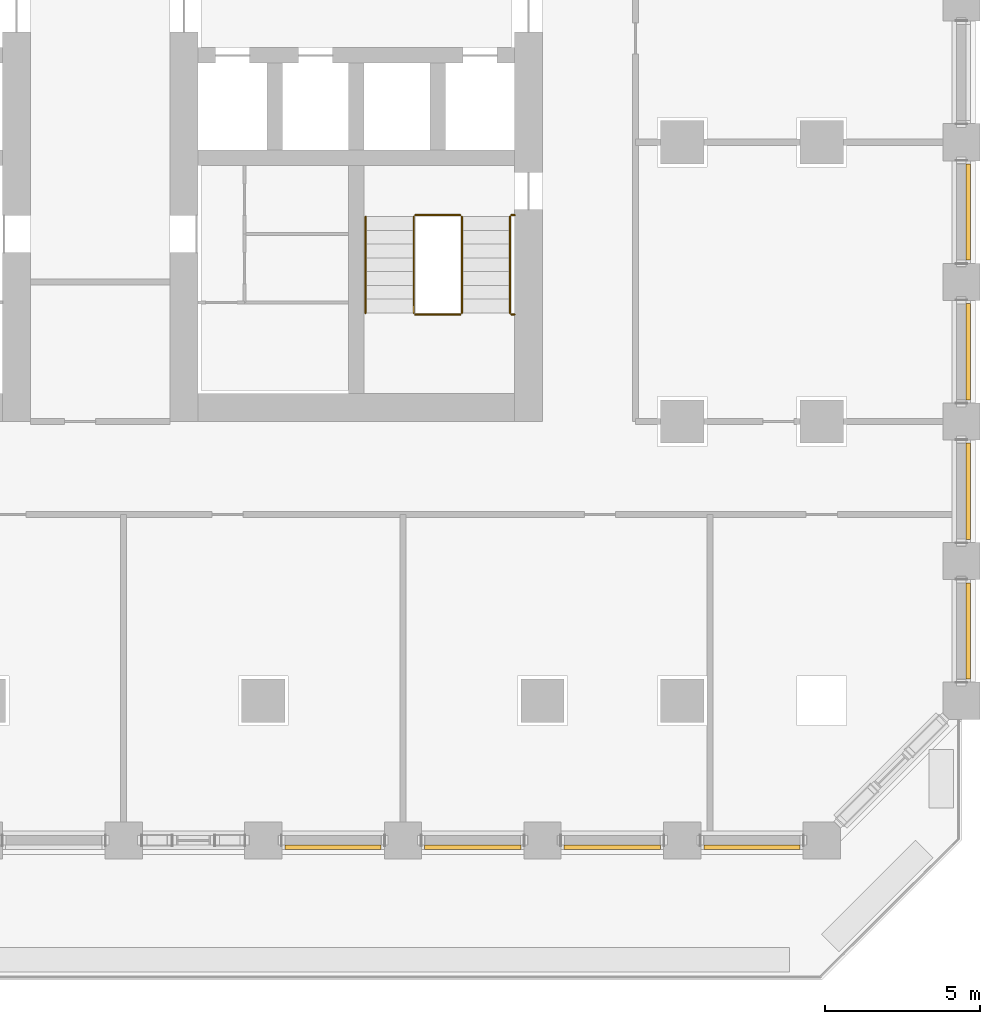
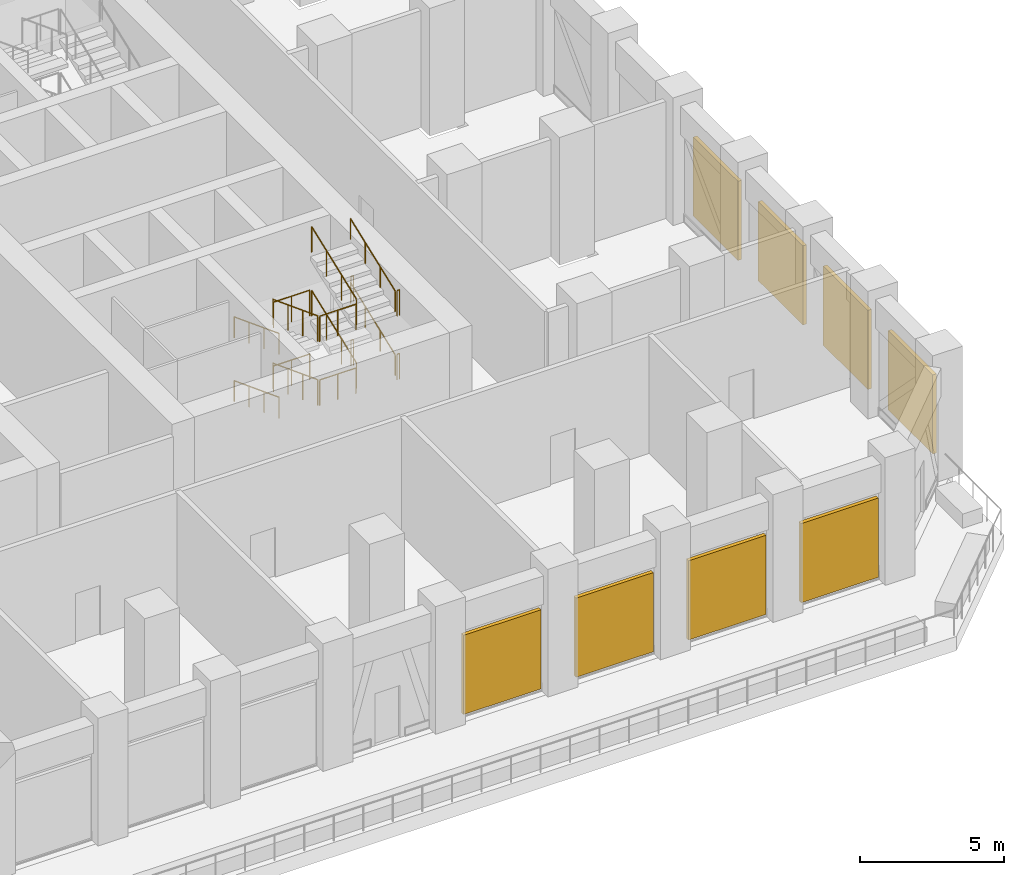
# One storey, part 15 of 20: 16 railings, 8 shading devices.
"""IFC4 building model written with IfcOpenShell, lengths in metres."""

from ifc_helpers import new_model, si_unit, direction, frame, origin, origin_2d, place, context, subcontext, project, spatial, rectangle, circle, extrude, material, layer, layer_set, type_object, element, save


model = new_model("IFC4")

# Units and contexts
model_context = context("Model", 3, precision=1e-05, world=origin(), true_north=direction((0.0, 1.0)))
body_context = subcontext(model_context, "Body", "Model", "MODEL_VIEW")
ifc_project = project(units=[si_unit("LENGTHUNIT", "METRE"), si_unit("AREAUNIT", "SQUARE_METRE"), si_unit("VOLUMEUNIT", "CUBIC_METRE"), si_unit("PLANEANGLEUNIT", "RADIAN"), si_unit("MASSUNIT", "GRAM", prefix="KILO")], contexts=[model_context])

# Site, building, storey
site_placement = place(None, origin())
site = spatial("IfcSite", under=ifc_project, at=site_placement, CompositionType="ELEMENT")
building_placement = place(site_placement, origin())
building = spatial("IfcBuilding", under=site, at=building_placement, Name="Corbel Stack Research Tower", CompositionType="ELEMENT")
storey_placement = place(building_placement, frame((0.0, 0.0, 76.60009765625)))
storey = spatial("IfcBuildingStorey", under=building, at=storey_placement, Name="L17", CompositionType="ELEMENT", Elevation=76.60009765625)

# Shading devices
ifc_material_1 = material(Name="Aluminium louvre", Category="aluminium")
ifc_layer = layer(ifc_material_1, 0.14990234375)
ifc_layer_set = layer_set([ifc_layer], Name="Aluminium louvre")
shading_device_type = type_object("IfcShadingDeviceType", Name="Plant louvre 150", PredefinedType="USERDEFINED", material=ifc_layer_set)
for number, where, z_axis, x_axis, name in (
    (1, (11.25, -22.72509765625, 0.199951171875), (0.0, 0.0, 1.0), (1.0, 0.0, 0.0), "Plant louvre L17 S07"),
    (2, (15.75, -22.72509765625, 0.199951171875), (0.0, 0.0, 1.0), (1.0, 0.0, 0.0), "Plant louvre L17 S08"),
    (3, (20.25, -22.72509765625, 0.199951171875), (0.0, 0.0, 1.0), (1.0, 0.0, 0.0), "Plant louvre L17 S09"),
    (4, (24.75, -22.72509765625, 0.199951171875), (0.0, 0.0, 1.0), (1.0, 0.0, 0.0), "Plant louvre L17 S10"),
    (5, (31.72509765625, -15.75, 0.199951171875), (0.0, 0.0, 1.0), (0.0, 1.0, 0.0), "Plant louvre L17 E01"),
    (6, (31.72509765625, -11.25, 0.199951171875), (0.0, 0.0, 1.0), (0.0, 1.0, 0.0), "Plant louvre L17 E02"),
    (7, (31.72509765625, -6.75, 0.199951171875), (0.0, 0.0, 1.0), (0.0, 1.0, 0.0), "Plant louvre L17 E03"),
    (8, (31.72509765625, -2.25, 0.199951171875), (0.0, 0.0, 1.0), (0.0, 1.0, 0.0), "Plant louvre L17 E04"),
):
    element("IfcShadingDevice", number, at=place(storey_placement, frame(where, z_axis=z_axis, x_axis=x_axis)), inside=storey, type_object=shading_device_type, Name=name, ObjectType="LOUVRE", PredefinedType="USERDEFINED", context=body_context, shape_type="SweptSolid", body=[
        extrude(rectangle(XDim=3.10009765625, YDim=0.14990234375, at=origin_2d()), origin(), (0.0, 0.0, 1.0), 3.35009765625),
    ])

# Railings
ifc_material_2 = material(Name="Steel S355", Category="steel")
railing_type_1 = type_object("IfcRailingType", Name="Stair guard 1100", PredefinedType="GUARDRAIL", material=ifc_material_2)
railing_1_placement = place(storey_placement, frame((13.85009765625, -2.39990234375, 0.168701171875)))
element("IfcRailing", 9, at=railing_1_placement, inside=storey, type_object=railing_type_1, Name="L17 ST-E1 stair guard 1", PredefinedType="GUARDRAIL", context=body_context, shape_type="SweptSolid", body=[
    extrude(circle(Radius=0.02392578125, at=origin_2d()), frame((0.0, 0.0, 1.076171875), z_axis=(0.0, -0.934508712189, 0.355940257406), x_axis=(1.0, 0.0, 0.0)), (0.0, 0.0, 1.0), 3.318359375),
    extrude(circle(Radius=0.02099609375, at=origin_2d()), origin(), (0.0, 0.0, 1.0), 1.052001953125),
    extrude(circle(Radius=0.02099609375, at=origin_2d()), frame((0.0, -1.03369140625, 0.393798828125)), (0.0, 0.0, 1.0), 1.052001953125),
    extrude(circle(Radius=0.02099609375, at=origin_2d()), frame((0.0, -2.0673828125, 0.787353515625)), (0.0, 0.0, 1.0), 1.052001953125),
    extrude(circle(Radius=0.02099609375, at=origin_2d()), frame((0.0, -3.10107421875, 1.18115234375)), (0.0, 0.0, 1.0), 1.052001953125),
])
railing_2_placement = place(storey_placement, frame((13.89990234375, -5.551025390625, 1.349853515625)))
element("IfcRailing", 10, at=railing_2_placement, inside=storey, type_object=railing_type_1, Name="L17 ST-E1 stair guard 2", PredefinedType="GUARDRAIL", context=body_context, shape_type="SweptSolid", body=[
    extrude(circle(Radius=0.02392578125, at=origin_2d()), frame((0.0, 0.0, 1.076171875), z_axis=(1.0, 0.0, 0.0), x_axis=(0.0, 1.0, 0.0)), (0.0, 0.0, 1.0), 1.4501953125),
    extrude(circle(Radius=0.02099609375, at=origin_2d()), origin(), (0.0, 0.0, 1.0), 1.052001953125),
    extrude(circle(Radius=0.02099609375, at=origin_2d()), frame((0.72509765625, 0.0, 0.0)), (0.0, 0.0, 1.0), 1.052001953125),
    extrude(circle(Radius=0.02099609375, at=origin_2d()), frame((1.4501953125, 0.0, 0.0)), (0.0, 0.0, 1.0), 1.052001953125),
])
railing_3_placement = place(storey_placement, frame((17.0, -5.551025390625, 1.349853515625)))
element("IfcRailing", 11, at=railing_3_placement, inside=storey, type_object=railing_type_1, Name="L17 ST-E1 stair guard 3", PredefinedType="GUARDRAIL", context=body_context, shape_type="SweptSolid", body=[
    extrude(circle(Radius=0.02392578125, at=origin_2d()), frame((0.0, 0.0, 1.076171875), z_axis=(1.0, 0.0, 0.0), x_axis=(0.0, 1.0, 0.0)), (0.0, 0.0, 1.0), 0.10009765625),
    extrude(circle(Radius=0.02099609375, at=origin_2d()), origin(), (0.0, 0.0, 1.0), 1.052001953125),
    extrude(circle(Radius=0.02099609375, at=origin_2d()), frame((0.10009765625, 0.0, 0.0)), (0.0, 0.0, 1.0), 1.052001953125),
])
railing_4_placement = place(storey_placement, frame((15.39990234375, -5.5009765625, 1.5185546875)))
element("IfcRailing", 12, at=railing_4_placement, inside=storey, type_object=railing_type_1, Name="L17 ST-E1 stair guard 4", PredefinedType="GUARDRAIL", context=body_context, shape_type="SweptSolid", body=[
    extrude(circle(Radius=0.02392578125, at=origin_2d()), frame((0.0, 0.0, 1.076171875), z_axis=(0.0, 0.934484238495, 0.356004505596), x_axis=(-1.0, 0.0, 0.0)), (0.0, 0.0, 1.0), 3.318603515625),
    extrude(circle(Radius=0.02099609375, at=origin_2d()), origin(), (0.0, 0.0, 1.0), 1.052001953125),
    extrude(circle(Radius=0.02099609375, at=origin_2d()), frame((0.0, 1.03369140625, 0.393798828125)), (0.0, 0.0, 1.0), 1.052001953125),
    extrude(circle(Radius=0.02099609375, at=origin_2d()), frame((0.0, 2.0673828125, 0.78759765625)), (0.0, 0.0, 1.0), 1.052001953125),
    extrude(circle(Radius=0.02099609375, at=origin_2d()), frame((0.0, 3.10107421875, 1.181396484375)), (0.0, 0.0, 1.0), 1.052001953125),
])
railing_5_placement = place(storey_placement, frame((13.89990234375, -2.35009765625, 2.699951171875)))
element("IfcRailing", 13, at=railing_5_placement, inside=storey, type_object=railing_type_1, Name="L17 ST-E1 stair guard 5", PredefinedType="GUARDRAIL", context=body_context, shape_type="SweptSolid", body=[
    extrude(circle(Radius=0.02392578125, at=origin_2d()), frame((0.0, 0.0, 1.076171875), z_axis=(1.0, 0.0, 0.0), x_axis=(0.0, 1.0, 0.0)), (0.0, 0.0, 1.0), 1.4501953125),
    extrude(circle(Radius=0.02099609375, at=origin_2d()), origin(), (0.0, 0.0, 1.0), 1.052001953125),
    extrude(circle(Radius=0.02099609375, at=origin_2d()), frame((0.72509765625, 0.0, 0.0)), (0.0, 0.0, 1.0), 1.052001953125),
    extrude(circle(Radius=0.02099609375, at=origin_2d()), frame((1.4501953125, 0.0, 0.0)), (0.0, 0.0, 1.0), 1.052001953125),
])
railing_6_placement = place(storey_placement, frame((17.0, -2.35009765625, 2.699951171875)))
element("IfcRailing", 14, at=railing_6_placement, inside=storey, type_object=railing_type_1, Name="L17 ST-E1 stair guard 6", PredefinedType="GUARDRAIL", context=body_context, shape_type="SweptSolid", body=[
    extrude(circle(Radius=0.02392578125, at=origin_2d()), frame((0.0, 0.0, 1.076171875), z_axis=(1.0, 0.0, 0.0), x_axis=(0.0, 1.0, 0.0)), (0.0, 0.0, 1.0), 0.10009765625),
    extrude(circle(Radius=0.02099609375, at=origin_2d()), origin(), (0.0, 0.0, 1.0), 1.052001953125),
    extrude(circle(Radius=0.02099609375, at=origin_2d()), frame((0.10009765625, 0.0, 0.0)), (0.0, 0.0, 1.0), 1.052001953125),
])
railing_7_placement = place(storey_placement, frame((13.85009765625, -2.39990234375, 2.86865234375)))
element("IfcRailing", 15, at=railing_7_placement, inside=storey, type_object=railing_type_1, Name="L17 ST-E1 stair guard 7", PredefinedType="GUARDRAIL", context=body_context, shape_type="SweptSolid", body=[
    extrude(circle(Radius=0.02392578125, at=origin_2d()), frame((0.0, 0.0, 1.076171875), z_axis=(0.0, -0.934508712189, 0.355940257406), x_axis=(1.0, 0.0, 0.0)), (0.0, 0.0, 1.0), 3.318359375),
    extrude(circle(Radius=0.02099609375, at=origin_2d()), origin(), (0.0, 0.0, 1.0), 1.052001953125),
    extrude(circle(Radius=0.02099609375, at=origin_2d()), frame((0.0, -1.03369140625, 0.393798828125)), (0.0, 0.0, 1.0), 1.052001953125),
    extrude(circle(Radius=0.02099609375, at=origin_2d()), frame((0.0, -2.0673828125, 0.787353515625)), (0.0, 0.0, 1.0), 1.052001953125),
    extrude(circle(Radius=0.02099609375, at=origin_2d()), frame((0.0, -3.10107421875, 1.18115234375)), (0.0, 0.0, 1.0), 1.052001953125),
])
railing_8_placement = place(storey_placement, frame((13.89990234375, -5.551025390625, 4.0498046875)))
element("IfcRailing", 16, at=railing_8_placement, inside=storey, type_object=railing_type_1, Name="L17 ST-E1 stair guard 8", PredefinedType="GUARDRAIL", context=body_context, shape_type="SweptSolid", body=[
    extrude(circle(Radius=0.02392578125, at=origin_2d()), frame((0.0, 0.0, 1.076171875), z_axis=(1.0, 0.0, 0.0), x_axis=(0.0, 1.0, 0.0)), (0.0, 0.0, 1.0), 1.4501953125),
    extrude(circle(Radius=0.02099609375, at=origin_2d()), origin(), (0.0, 0.0, 1.0), 1.052001953125),
    extrude(circle(Radius=0.02099609375, at=origin_2d()), frame((0.72509765625, 0.0, 0.0)), (0.0, 0.0, 1.0), 1.052001953125),
    extrude(circle(Radius=0.02099609375, at=origin_2d()), frame((1.4501953125, 0.0, 0.0)), (0.0, 0.0, 1.0), 1.052001953125),
])
railing_9_placement = place(storey_placement, frame((17.0, -5.551025390625, 4.0498046875)))
element("IfcRailing", 17, at=railing_9_placement, inside=storey, type_object=railing_type_1, Name="L17 ST-E1 stair guard 9", PredefinedType="GUARDRAIL", context=body_context, shape_type="SweptSolid", body=[
    extrude(circle(Radius=0.02392578125, at=origin_2d()), frame((0.0, 0.0, 1.076171875), z_axis=(1.0, 0.0, 0.0), x_axis=(0.0, 1.0, 0.0)), (0.0, 0.0, 1.0), 0.10009765625),
    extrude(circle(Radius=0.02099609375, at=origin_2d()), origin(), (0.0, 0.0, 1.0), 1.052001953125),
    extrude(circle(Radius=0.02099609375, at=origin_2d()), frame((0.10009765625, 0.0, 0.0)), (0.0, 0.0, 1.0), 1.052001953125),
])
railing_10_placement = place(storey_placement, frame((15.39990234375, -5.5009765625, 4.21875)))
element("IfcRailing", 18, at=railing_10_placement, inside=storey, type_object=railing_type_1, Name="L17 ST-E1 stair guard 10", PredefinedType="GUARDRAIL", context=body_context, shape_type="SweptSolid", body=[
    extrude(circle(Radius=0.02392578125, at=origin_2d()), frame((0.0, 0.0, 1.076171875), z_axis=(0.0, 0.934508712189, 0.355940257406), x_axis=(-1.0, 0.0, 0.0)), (0.0, 0.0, 1.0), 3.318359375),
    extrude(circle(Radius=0.02099609375, at=origin_2d()), origin(), (0.0, 0.0, 1.0), 1.052001953125),
    extrude(circle(Radius=0.02099609375, at=origin_2d()), frame((0.0, 1.03369140625, 0.393798828125)), (0.0, 0.0, 1.0), 1.052001953125),
    extrude(circle(Radius=0.02099609375, at=origin_2d()), frame((0.0, 2.0673828125, 0.787353515625)), (0.0, 0.0, 1.0), 1.052001953125),
    extrude(circle(Radius=0.02099609375, at=origin_2d()), frame((0.0, 3.10107421875, 1.18115234375)), (0.0, 0.0, 1.0), 1.052001953125),
])
railing_11_placement = place(storey_placement, frame((13.89990234375, -2.35009765625, 0.0)))
element("IfcRailing", 19, at=railing_11_placement, inside=storey, type_object=railing_type_1, Name="L17 ST-E1 stair guard 11", PredefinedType="GUARDRAIL", context=body_context, shape_type="SweptSolid", body=[
    extrude(circle(Radius=0.02392578125, at=origin_2d()), frame((0.0, 0.0, 1.076171875), z_axis=(1.0, 0.0, 0.0), x_axis=(0.0, 1.0, 0.0)), (0.0, 0.0, 1.0), 1.4501953125),
    extrude(circle(Radius=0.02099609375, at=origin_2d()), origin(), (0.0, 0.0, 1.0), 1.052001953125),
    extrude(circle(Radius=0.02099609375, at=origin_2d()), frame((0.72509765625, 0.0, 0.0)), (0.0, 0.0, 1.0), 1.052001953125),
    extrude(circle(Radius=0.02099609375, at=origin_2d()), frame((1.4501953125, 0.0, 0.0)), (0.0, 0.0, 1.0), 1.052001953125),
])
railing_12_placement = place(storey_placement, frame((17.0, -2.35009765625, 0.0)))
element("IfcRailing", 20, at=railing_12_placement, inside=storey, type_object=railing_type_1, Name="L17 ST-E1 stair guard 12", PredefinedType="GUARDRAIL", context=body_context, shape_type="SweptSolid", body=[
    extrude(circle(Radius=0.02392578125, at=origin_2d()), frame((0.0, 0.0, 1.076171875), z_axis=(1.0, 0.0, 0.0), x_axis=(0.0, 1.0, 0.0)), (0.0, 0.0, 1.0), 0.10009765625),
    extrude(circle(Radius=0.02099609375, at=origin_2d()), origin(), (0.0, 0.0, 1.0), 1.052001953125),
    extrude(circle(Radius=0.02099609375, at=origin_2d()), frame((0.10009765625, 0.0, 0.0)), (0.0, 0.0, 1.0), 1.052001953125),
])
ifc_material_3 = material(Name="Steel S355", Category="steel")
railing_type_2 = type_object("IfcRailingType", Name="Stair handrail 900", PredefinedType="HANDRAIL", material=ifc_material_3)
railing_13_placement = place(storey_placement, frame((12.300048828125, -2.39990234375, 0.168701171875)))
element("IfcRailing", 21, at=railing_13_placement, inside=storey, type_object=railing_type_2, Name="L17 ST-E1 stair handrail 1", PredefinedType="HANDRAIL", context=body_context, shape_type="SweptSolid", body=[
    extrude(circle(Radius=0.02392578125, at=origin_2d()), frame((0.0, 0.0, 0.8759765625), z_axis=(0.0, -0.934508712189, 0.355940257406), x_axis=(1.0, 0.0, 0.0)), (0.0, 0.0, 1.0), 3.318359375),
    extrude(circle(Radius=0.02099609375, at=origin_2d()), origin(), (0.0, 0.0, 1.0), 0.851806640625),
    extrude(circle(Radius=0.02099609375, at=origin_2d()), frame((0.0, -1.03369140625, 0.393798828125)), (0.0, 0.0, 1.0), 0.851806640625),
    extrude(circle(Radius=0.02099609375, at=origin_2d()), frame((0.0, -2.0673828125, 0.787353515625)), (0.0, 0.0, 1.0), 0.851806640625),
    extrude(circle(Radius=0.02099609375, at=origin_2d()), frame((0.0, -3.10107421875, 1.18115234375)), (0.0, 0.0, 1.0), 0.851806640625),
])
railing_14_placement = place(storey_placement, frame((16.949951171875, -5.5009765625, 1.5185546875)))
element("IfcRailing", 22, at=railing_14_placement, inside=storey, type_object=railing_type_2, Name="L17 ST-E1 stair handrail 2", PredefinedType="HANDRAIL", context=body_context, shape_type="SweptSolid", body=[
    extrude(circle(Radius=0.02392578125, at=origin_2d()), frame((0.0, 0.0, 0.8759765625), z_axis=(0.0, 0.934484238495, 0.356004505596), x_axis=(-1.0, 0.0, 0.0)), (0.0, 0.0, 1.0), 3.318603515625),
    extrude(circle(Radius=0.02099609375, at=origin_2d()), origin(), (0.0, 0.0, 1.0), 0.851806640625),
    extrude(circle(Radius=0.02099609375, at=origin_2d()), frame((0.0, 1.03369140625, 0.393798828125)), (0.0, 0.0, 1.0), 0.851806640625),
    extrude(circle(Radius=0.02099609375, at=origin_2d()), frame((0.0, 2.0673828125, 0.78759765625)), (0.0, 0.0, 1.0), 0.851806640625),
    extrude(circle(Radius=0.02099609375, at=origin_2d()), frame((0.0, 3.10107421875, 1.181396484375)), (0.0, 0.0, 1.0), 0.851806640625),
])
railing_15_placement = place(storey_placement, frame((12.300048828125, -2.39990234375, 2.86865234375)))
element("IfcRailing", 23, at=railing_15_placement, inside=storey, type_object=railing_type_2, Name="L17 ST-E1 stair handrail 3", PredefinedType="HANDRAIL", context=body_context, shape_type="SweptSolid", body=[
    extrude(circle(Radius=0.02392578125, at=origin_2d()), frame((0.0, 0.0, 0.8759765625), z_axis=(0.0, -0.934508712189, 0.355940257406), x_axis=(1.0, 0.0, 0.0)), (0.0, 0.0, 1.0), 3.318359375),
    extrude(circle(Radius=0.02099609375, at=origin_2d()), origin(), (0.0, 0.0, 1.0), 0.851806640625),
    extrude(circle(Radius=0.02099609375, at=origin_2d()), frame((0.0, -1.03369140625, 0.393798828125)), (0.0, 0.0, 1.0), 0.851806640625),
    extrude(circle(Radius=0.02099609375, at=origin_2d()), frame((0.0, -2.0673828125, 0.787353515625)), (0.0, 0.0, 1.0), 0.851806640625),
    extrude(circle(Radius=0.02099609375, at=origin_2d()), frame((0.0, -3.10107421875, 1.18115234375)), (0.0, 0.0, 1.0), 0.851806640625),
])
railing_16_placement = place(storey_placement, frame((16.949951171875, -5.5009765625, 4.21875)))
element("IfcRailing", 24, at=railing_16_placement, inside=storey, type_object=railing_type_2, Name="L17 ST-E1 stair handrail 4", PredefinedType="HANDRAIL", context=body_context, shape_type="SweptSolid", body=[
    extrude(circle(Radius=0.02392578125, at=origin_2d()), frame((0.0, 0.0, 0.8759765625), z_axis=(0.0, 0.934508712189, 0.355940257406), x_axis=(-1.0, 0.0, 0.0)), (0.0, 0.0, 1.0), 3.318359375),
    extrude(circle(Radius=0.02099609375, at=origin_2d()), origin(), (0.0, 0.0, 1.0), 0.851806640625),
    extrude(circle(Radius=0.02099609375, at=origin_2d()), frame((0.0, 1.03369140625, 0.393798828125)), (0.0, 0.0, 1.0), 0.851806640625),
    extrude(circle(Radius=0.02099609375, at=origin_2d()), frame((0.0, 2.0673828125, 0.787353515625)), (0.0, 0.0, 1.0), 0.851806640625),
    extrude(circle(Radius=0.02099609375, at=origin_2d()), frame((0.0, 3.10107421875, 1.18115234375)), (0.0, 0.0, 1.0), 0.851806640625),
])

save(model, "model.ifc")
